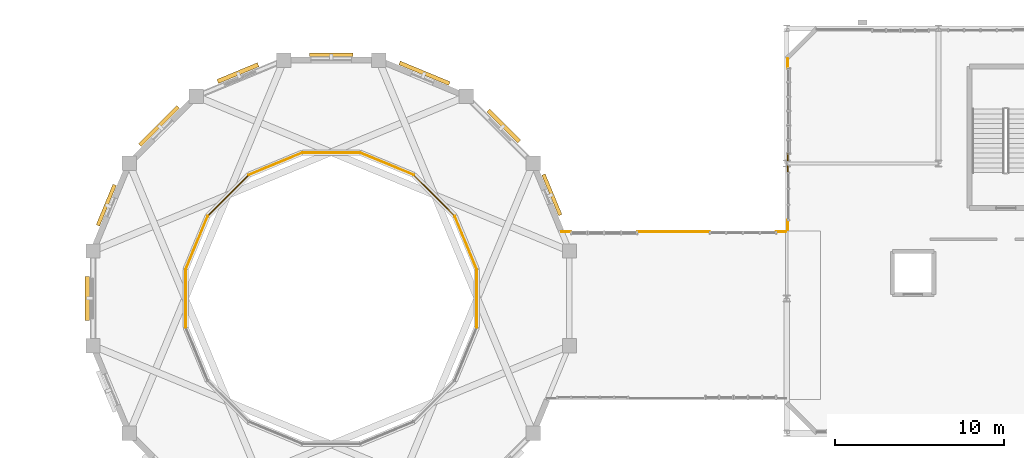
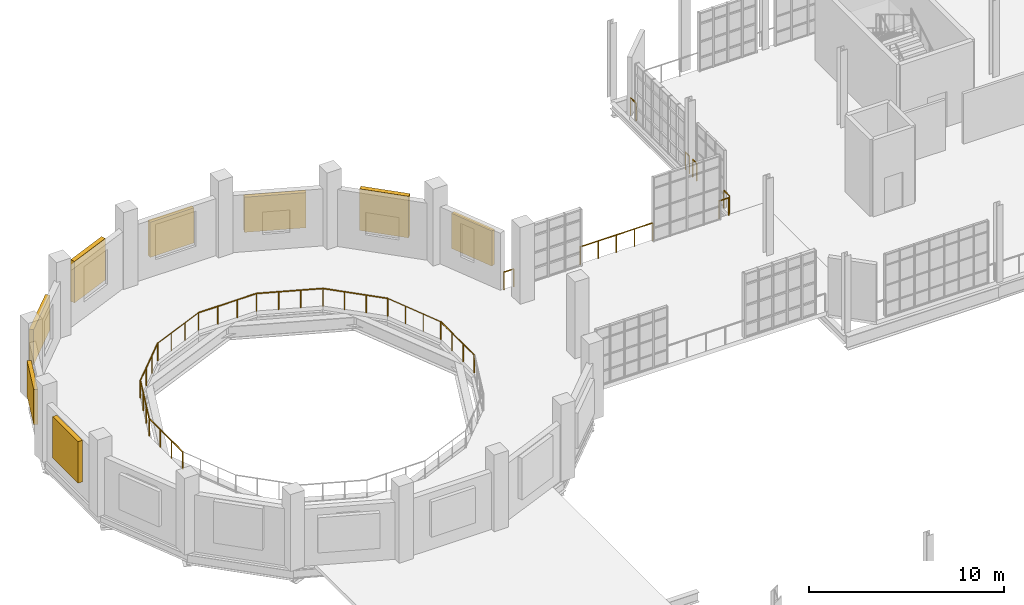
# One storey, part 118 of 122: 16 railings, 8 shading devices.
"""IFC4 building model written with IfcOpenShell, lengths in metres."""

from ifc_helpers import new_model, si_unit, direction, frame, frame_2d, origin, origin_2d, place, context, subcontext, project, spatial, rectangle, circle, extrude, material, type_object, element, save


model = new_model("IFC4")

# Units and contexts
model_context = context("Model", 3, precision=1e-05, world=origin(), true_north=direction((0.0, 1.0)))
body_context = subcontext(model_context, "Body", "Model", "MODEL_VIEW")
ifc_project = project(units=[si_unit("LENGTHUNIT", "METRE"), si_unit("AREAUNIT", "SQUARE_METRE"), si_unit("VOLUMEUNIT", "CUBIC_METRE"), si_unit("PLANEANGLEUNIT", "RADIAN"), si_unit("MASSUNIT", "GRAM", prefix="KILO"), si_unit("THERMODYNAMICTEMPERATUREUNIT", "KELVIN"), si_unit("POWERUNIT", "WATT")], contexts=[model_context])

# Site, building, storey
site_placement = place(None, origin())
site = spatial("IfcSite", under=ifc_project, at=site_placement, CompositionType="ELEMENT")
building_placement = place(site_placement, origin())
building = spatial("IfcBuilding", under=site, at=building_placement, Name="Zelmaris Science Centre", CompositionType="ELEMENT")
storey_placement = place(building_placement, frame((0.0, 0.0, 10.800048828125)))
storey = spatial("IfcBuildingStorey", under=building, at=storey_placement, Name="L02", CompositionType="ELEMENT", Elevation=10.800048828125)

# Railings
ifc_material = material(Name="Architectural bronze alloy C28000")
railing_type = type_object("IfcRailingType", Name="Balustrade GD-01 H1120", PredefinedType="BALUSTRADE", material=ifc_material)
railing_1_placement = place(storey_placement, frame((35.630859375, 73.716796875, 0.0)))
element("IfcRailing", 1, at=railing_1_placement, inside=storey, type_object=railing_type, Name="L02 Planetarium ring gallery balustrade 15", PredefinedType="BALUSTRADE", context=body_context, shape_type="SweptSolid", body=[
    extrude(circle(Radius=0.02392578125, at=origin_2d()), frame((0.0, 0.0, 1.09619140625), z_axis=(-0.382690908705, 0.923876435675, 0.0), x_axis=(-0.923876435675, -0.382690908705, 0.0)), (0.0, 0.0, 1.0), 3.43359375),
    extrude(circle(Radius=0.02099609375, at=origin_2d()), origin(), (0.0, 0.0, 1.0), 1.072021484375),
    extrude(circle(Radius=0.02099609375, at=origin_2d()), frame((-0.43798828125, 1.057373046875, 0.0)), (0.0, 0.0, 1.0), 1.072021484375),
    extrude(circle(Radius=0.02099609375, at=origin_2d()), frame((-0.8759765625, 2.11474609375, 0.0)), (0.0, 0.0, 1.0), 1.072021484375),
    extrude(circle(Radius=0.02099609375, at=origin_2d()), frame((-1.31396484375, 3.172119140625, 0.0)), (0.0, 0.0, 1.0), 1.072021484375),
])
railing_2_placement = place(storey_placement, frame((34.31689453125, 76.888916015625, 0.0)))
element("IfcRailing", 2, at=railing_2_placement, inside=storey, type_object=railing_type, Name="L02 Planetarium ring gallery balustrade 16", PredefinedType="BALUSTRADE", context=body_context, shape_type="SweptSolid", body=[
    extrude(circle(Radius=0.02392578125, at=origin_2d()), frame((0.0, 0.0, 1.09619140625), z_axis=(-0.707106781187, 0.707106781187, 0.0), x_axis=(-0.707106781187, -0.707106781187, 0.0)), (0.0, 0.0, 1.0), 3.43359375),
    extrude(circle(Radius=0.02099609375, at=origin_2d()), origin(), (0.0, 0.0, 1.0), 1.072021484375),
    extrude(circle(Radius=0.02099609375, at=origin_2d()), frame((-0.809326171875, 0.809326171875, 0.0)), (0.0, 0.0, 1.0), 1.072021484375),
    extrude(circle(Radius=0.02099609375, at=origin_2d()), frame((-1.61865234375, 1.61865234375, 0.0)), (0.0, 0.0, 1.0), 1.072021484375),
    extrude(circle(Radius=0.02099609375, at=origin_2d()), frame((-2.427978515625, 2.427978515625, 0.0)), (0.0, 0.0, 1.0), 1.072021484375),
])
railing_3_placement = place(storey_placement, frame((31.888916015625, 79.31689453125, 0.0)))
element("IfcRailing", 3, at=railing_3_placement, inside=storey, type_object=railing_type, Name="L02 Planetarium ring gallery balustrade 17", PredefinedType="BALUSTRADE", context=body_context, shape_type="SweptSolid", body=[
    extrude(circle(Radius=0.02392578125, at=origin_2d()), frame((0.0, 0.0, 1.09619140625), z_axis=(-0.923876435675, 0.382690908705, 0.0), x_axis=(-0.382690908705, -0.923876435675, 0.0)), (0.0, 0.0, 1.0), 3.43359375),
    extrude(circle(Radius=0.02099609375, at=origin_2d()), origin(), (0.0, 0.0, 1.0), 1.072021484375),
    extrude(circle(Radius=0.02099609375, at=origin_2d()), frame((-1.057373046875, 0.43798828125, 0.0)), (0.0, 0.0, 1.0), 1.072021484375),
    extrude(circle(Radius=0.02099609375, at=origin_2d()), frame((-2.11474609375, 0.8759765625, 0.0)), (0.0, 0.0, 1.0), 1.072021484375),
    extrude(circle(Radius=0.02099609375, at=origin_2d()), frame((-3.172119140625, 1.31396484375, 0.0)), (0.0, 0.0, 1.0), 1.072021484375),
])
railing_4_placement = place(storey_placement, frame((28.716796875, 80.630859375, 0.0)))
element("IfcRailing", 4, at=railing_4_placement, inside=storey, type_object=railing_type, Name="L02 Planetarium ring gallery balustrade 18", PredefinedType="BALUSTRADE", context=body_context, shape_type="SweptSolid", body=[
    extrude(circle(Radius=0.02392578125, at=origin_2d()), frame((0.0, 0.0, 1.09619140625), z_axis=(-1.0, 0.0, 0.0), x_axis=(0.0, -1.0, 0.0)), (0.0, 0.0, 1.0), 3.43359375),
    extrude(circle(Radius=0.02099609375, at=origin_2d()), origin(), (0.0, 0.0, 1.0), 1.072021484375),
    extrude(circle(Radius=0.02099609375, at=origin_2d()), frame((-1.14453125, 0.0, 0.0)), (0.0, 0.0, 1.0), 1.072021484375),
    extrude(circle(Radius=0.02099609375, at=origin_2d()), frame((-2.2890625, 0.0, 0.0)), (0.0, 0.0, 1.0), 1.072021484375),
    extrude(circle(Radius=0.02099609375, at=origin_2d()), frame((-3.43359375, 0.0, 0.0)), (0.0, 0.0, 1.0), 1.072021484375),
])
railing_5_placement = place(storey_placement, frame((25.283203125, 80.630859375, 0.0)))
element("IfcRailing", 5, at=railing_5_placement, inside=storey, type_object=railing_type, Name="L02 Planetarium ring gallery balustrade 19", PredefinedType="BALUSTRADE", context=body_context, shape_type="SweptSolid", body=[
    extrude(circle(Radius=0.02392578125, at=origin_2d()), frame((0.0, 0.0, 1.09619140625), z_axis=(-0.923876435675, -0.382690908705, 0.0), x_axis=(0.382690908705, -0.923876435675, 0.0)), (0.0, 0.0, 1.0), 3.43359375),
    extrude(circle(Radius=0.02099609375, at=origin_2d()), origin(), (0.0, 0.0, 1.0), 1.072021484375),
    extrude(circle(Radius=0.02099609375, at=origin_2d()), frame((-1.057373046875, -0.43798828125, 0.0)), (0.0, 0.0, 1.0), 1.072021484375),
    extrude(circle(Radius=0.02099609375, at=origin_2d()), frame((-2.11474609375, -0.8759765625, 0.0)), (0.0, 0.0, 1.0), 1.072021484375),
    extrude(circle(Radius=0.02099609375, at=origin_2d()), frame((-3.172119140625, -1.31396484375, 0.0)), (0.0, 0.0, 1.0), 1.072021484375),
])
railing_6_placement = place(storey_placement, frame((22.111083984375, 79.31689453125, 0.0)))
element("IfcRailing", 6, at=railing_6_placement, inside=storey, type_object=railing_type, Name="L02 Planetarium ring gallery balustrade 20", PredefinedType="BALUSTRADE", context=body_context, shape_type="SweptSolid", body=[
    extrude(circle(Radius=0.02392578125, at=origin_2d()), frame((0.0, 0.0, 1.09619140625), z_axis=(-0.707106781187, -0.707106781187, 0.0), x_axis=(0.707106781187, -0.707106781187, 0.0)), (0.0, 0.0, 1.0), 3.43359375),
    extrude(circle(Radius=0.02099609375, at=origin_2d()), origin(), (0.0, 0.0, 1.0), 1.072021484375),
    extrude(circle(Radius=0.02099609375, at=origin_2d()), frame((-0.809326171875, -0.809326171875, 0.0)), (0.0, 0.0, 1.0), 1.072021484375),
    extrude(circle(Radius=0.02099609375, at=origin_2d()), frame((-1.61865234375, -1.61865234375, 0.0)), (0.0, 0.0, 1.0), 1.072021484375),
    extrude(circle(Radius=0.02099609375, at=origin_2d()), frame((-2.427978515625, -2.427978515625, 0.0)), (0.0, 0.0, 1.0), 1.072021484375),
])
railing_7_placement = place(storey_placement, frame((19.68310546875, 76.888916015625, 0.0)))
element("IfcRailing", 7, at=railing_7_placement, inside=storey, type_object=railing_type, Name="L02 Planetarium ring gallery balustrade 21", PredefinedType="BALUSTRADE", context=body_context, shape_type="SweptSolid", body=[
    extrude(circle(Radius=0.02392578125, at=origin_2d()), frame((0.0, 0.0, 1.09619140625), z_axis=(-0.382690908705, -0.923876435675, 0.0), x_axis=(0.923876435675, -0.382690908705, 0.0)), (0.0, 0.0, 1.0), 3.43359375),
    extrude(circle(Radius=0.02099609375, at=origin_2d()), origin(), (0.0, 0.0, 1.0), 1.072021484375),
    extrude(circle(Radius=0.02099609375, at=origin_2d()), frame((-0.43798828125, -1.057373046875, 0.0)), (0.0, 0.0, 1.0), 1.072021484375),
    extrude(circle(Radius=0.02099609375, at=origin_2d()), frame((-0.8759765625, -2.11474609375, 0.0)), (0.0, 0.0, 1.0), 1.072021484375),
    extrude(circle(Radius=0.02099609375, at=origin_2d()), frame((-1.31396484375, -3.172119140625, 0.0)), (0.0, 0.0, 1.0), 1.072021484375),
])
railing_8_placement = place(storey_placement, frame((18.369140625, 73.716796875, 0.0)))
element("IfcRailing", 8, at=railing_8_placement, inside=storey, type_object=railing_type, Name="L02 Planetarium ring gallery balustrade 22", PredefinedType="BALUSTRADE", context=body_context, shape_type="SweptSolid", body=[
    extrude(circle(Radius=0.02392578125, at=origin_2d()), frame((0.0, 0.0, 1.09619140625), z_axis=(0.0, -1.0, 0.0), x_axis=(1.0, 0.0, 0.0)), (0.0, 0.0, 1.0), 3.43359375),
    extrude(circle(Radius=0.02099609375, at=origin_2d()), origin(), (0.0, 0.0, 1.0), 1.072021484375),
    extrude(circle(Radius=0.02099609375, at=origin_2d()), frame((0.0, -1.14453125, 0.0)), (0.0, 0.0, 1.0), 1.072021484375),
    extrude(circle(Radius=0.02099609375, at=origin_2d()), frame((0.0, -2.2890625, 0.0)), (0.0, 0.0, 1.0), 1.072021484375),
    extrude(circle(Radius=0.02099609375, at=origin_2d()), frame((0.0, -3.43359375, 0.0)), (0.0, 0.0, 1.0), 1.072021484375),
])
railing_9_placement = place(storey_placement, frame((35.630859375, 70.283203125, 0.0)))
element("IfcRailing", 9, at=railing_9_placement, inside=storey, type_object=railing_type, Name="L02 Planetarium ring gallery balustrade 30", PredefinedType="BALUSTRADE", context=body_context, shape_type="SweptSolid", body=[
    extrude(circle(Radius=0.02392578125, at=origin_2d()), frame((0.0, 0.0, 1.09619140625), z_axis=(0.0, 1.0, 0.0), x_axis=(-1.0, 0.0, 0.0)), (0.0, 0.0, 1.0), 3.43359375),
    extrude(circle(Radius=0.02099609375, at=origin_2d()), origin(), (0.0, 0.0, 1.0), 1.072021484375),
    extrude(circle(Radius=0.02099609375, at=origin_2d()), frame((0.0, 1.14453125, 0.0)), (0.0, 0.0, 1.0), 1.072021484375),
    extrude(circle(Radius=0.02099609375, at=origin_2d()), frame((0.0, 2.2890625, 0.0)), (0.0, 0.0, 1.0), 1.072021484375),
    extrude(circle(Radius=0.02099609375, at=origin_2d()), frame((0.0, 3.43359375, 0.0)), (0.0, 0.0, 1.0), 1.072021484375),
])
railing_10_placement = place(storey_placement, frame((40.65283203125, 75.942626953125, 0.0)))
element("IfcRailing", 10, at=railing_10_placement, inside=storey, type_object=railing_type, Name="L02 Perimeter safety balustrade 168", PredefinedType="BALUSTRADE", context=body_context, shape_type="SweptSolid", body=[
    extrude(circle(Radius=0.02392578125, at=origin_2d()), frame((0.0, 0.0, 1.09619140625), z_axis=(0.999999908294, -0.000428265485, 0.0), x_axis=(0.000428265485, 0.999999908294, 0.0)), (0.0, 0.0, 1.0), 0.570068359375),
    extrude(circle(Radius=0.02099609375, at=origin_2d()), origin(), (0.0, 0.0, 1.0), 1.072021484375),
    extrude(circle(Radius=0.02099609375, at=origin_2d()), frame((0.570068359375, -0.000244140625, 0.0)), (0.0, 0.0, 1.0), 1.072021484375),
])
railing_11_placement = place(storey_placement, frame((45.15185546875, 75.941650390625, 0.0)))
element("IfcRailing", 11, at=railing_11_placement, inside=storey, type_object=railing_type, Name="L02 Perimeter safety balustrade 169", PredefinedType="BALUSTRADE", context=body_context, shape_type="SweptSolid", body=[
    extrude(circle(Radius=0.02392578125, at=origin_2d()), frame((0.0, 0.0, 1.09619140625), z_axis=(0.99999998542, -0.000170765025, 0.0), x_axis=(0.000170765025, 0.99999998542, 0.0)), (0.0, 0.0, 1.0), 4.2890625),
    extrude(circle(Radius=0.02099609375, at=origin_2d()), origin(), (0.0, 0.0, 1.0), 1.072021484375),
    extrude(circle(Radius=0.02099609375, at=origin_2d()), frame((1.072265625, -0.000244140625, 0.0)), (0.0, 0.0, 1.0), 1.072021484375),
    extrude(circle(Radius=0.02099609375, at=origin_2d()), frame((2.14453125, -0.00048828125, 0.0)), (0.0, 0.0, 1.0), 1.072021484375),
    extrude(circle(Radius=0.02099609375, at=origin_2d()), frame((3.216796875, -0.00048828125, 0.0)), (0.0, 0.0, 1.0), 1.072021484375),
    extrude(circle(Radius=0.02099609375, at=origin_2d()), frame((4.2890625, -0.000732421875, 0.0)), (0.0, 0.0, 1.0), 1.072021484375),
])
railing_12_placement = place(storey_placement, frame((53.3701171875, 75.940185546875, 0.0)))
element("IfcRailing", 12, at=railing_12_placement, inside=storey, type_object=railing_type, Name="L02 Perimeter safety balustrade 170", PredefinedType="BALUSTRADE", context=body_context, shape_type="SweptSolid", body=[
    extrude(circle(Radius=0.02392578125, at=origin_2d()), frame((0.0, 0.0, 1.09619140625), z_axis=(0.999999908216, -0.000428448975, 0.0), x_axis=(0.000428448975, 0.999999908216, 0.0)), (0.0, 0.0, 1.0), 0.56982421875),
    extrude(circle(Radius=0.02099609375, at=origin_2d()), origin(), (0.0, 0.0, 1.0), 1.072021484375),
    extrude(circle(Radius=0.02099609375, at=origin_2d()), frame((0.56982421875, -0.000244140625, 0.0)), (0.0, 0.0, 1.0), 1.072021484375),
])
railing_13_placement = place(storey_placement, frame((54.06005859375, 76.06005859375, 0.0)))
element("IfcRailing", 13, at=railing_13_placement, inside=storey, type_object=railing_type, Name="L02 Perimeter safety balustrade 171", PredefinedType="BALUSTRADE", context=body_context, shape_type="SweptSolid", body=[
    extrude(circle(Radius=0.02392578125, at=origin_2d()), frame((0.0, 0.0, 1.09619140625), z_axis=(0.0, 1.0, 0.0), x_axis=(-1.0, 0.0, 0.0)), (0.0, 0.0, 1.0), 0.56982421875),
    extrude(circle(Radius=0.02099609375, at=origin_2d()), origin(), (0.0, 0.0, 1.0), 1.072021484375),
    extrude(circle(Radius=0.02099609375, at=origin_2d()), frame((0.0, 0.56982421875, 0.0)), (0.0, 0.0, 1.0), 1.072021484375),
])
for number, where, name in (
    (14, (54.06005859375, 79.429931640625, 0.0), "L02 Perimeter safety balustrade 172"),
    (15, (54.06005859375, 80.1630859375, 0.0), "L02 Perimeter safety balustrade 173"),
):
    element("IfcRailing", number, at=place(storey_placement, frame(where)), inside=storey, type_object=railing_type, Name=name, PredefinedType="BALUSTRADE", context=body_context, shape_type="SweptSolid", body=[
        extrude(circle(Radius=0.02392578125, at=origin_2d()), frame((0.0, 0.0, 1.09619140625), z_axis=(0.0, 1.0, 0.0), x_axis=(-1.0, 0.0, 0.0)), (0.0, 0.0, 1.0), 0.406982421875),
        extrude(circle(Radius=0.02099609375, at=origin_2d()), origin(), (0.0, 0.0, 1.0), 1.072021484375),
        extrude(circle(Radius=0.02099609375, at=origin_2d()), frame((0.0, 0.406982421875, 0.0)), (0.0, 0.0, 1.0), 1.072021484375),
    ])
railing_14_placement = place(storey_placement, frame((54.06005859375, 85.6298828125, 0.0)))
element("IfcRailing", 16, at=railing_14_placement, inside=storey, type_object=railing_type, Name="L02 Perimeter safety balustrade 174", PredefinedType="BALUSTRADE", context=body_context, shape_type="SweptSolid", body=[
    extrude(circle(Radius=0.02392578125, at=origin_2d()), frame((0.0, 0.0, 1.09619140625), z_axis=(0.0, 1.0, 0.0), x_axis=(-1.0, 0.0, 0.0)), (0.0, 0.0, 1.0), 0.570068359375),
    extrude(circle(Radius=0.02099609375, at=origin_2d()), origin(), (0.0, 0.0, 1.0), 1.072021484375),
    extrude(circle(Radius=0.02099609375, at=origin_2d()), frame((0.0, 0.570068359375, 0.0)), (0.0, 0.0, 1.0), 1.072021484375),
])

# Shading devices
shading_device_type_1 = type_object("IfcShadingDeviceType", Name="Bronze Storm Louvre LV-01 2600x2200", PredefinedType="JALOUSIE", material=ifc_material)
shading_device_1_placement = place(storey_placement, frame((13.16796875, 76.322265625, 0.949951171875), z_axis=(0.0, 0.0, 1.0), x_axis=(0.382647585897, 0.92389437979, 0.0)))
element("IfcShadingDevice", 17, at=shading_device_1_placement, inside=storey, type_object=shading_device_type_1, Name="L02 Bronze storm louvre 13", PredefinedType="JALOUSIE", context=body_context, shape_type="SweptSolid", body=[
    extrude(rectangle(XDim=2.599853515625, YDim=0.219970703125, at=frame_2d((1.2998046875, 0.0))), origin(), (0.0, 0.0, 1.0), 2.199951171875),
])
for number, where, z_axis, x_axis, name in (
    (18, (25.699951171875, 86.43310546875, 0.949951171875), (0.0, 0.0, 1.0), (1.0, 0.0, 0.0), "L02 Bronze storm louvre 16"),
    (19, (39.582763671875, 79.33837890625, 0.949951171875), (0.0, 0.0, 1.0), (0.382727733882, -0.923861180978, 0.0), "L02 Bronze storm louvre 19"),
):
    element("IfcShadingDevice", number, at=place(storey_placement, frame(where, z_axis=z_axis, x_axis=x_axis)), inside=storey, type_object=shading_device_type_1, Name=name, PredefinedType="JALOUSIE", context=body_context, shape_type="SweptSolid", body=[
        extrude(rectangle(XDim=2.60009765625, YDim=0.219970703125, at=frame_2d((1.300048828125, 0.0))), origin(), (0.0, 0.0, 1.0), 2.199951171875),
    ])
shading_device_type_2 = type_object("IfcShadingDeviceType", Name="Bronze Storm Louvre LV-02 3200x2200", PredefinedType="JALOUSIE", material=ifc_material)
for number, where, z_axis, x_axis, name in (
    (20, (15.65576171875, 81.08154296875, 0.949951171875), (0.0, 0.0, 1.0), (0.707106781187, 0.707106781187, 0.0), "L02 Bronze storm louvre 14"),
    (21, (31.049072265625, 85.9560546875, 0.949951171875), (0.0, 0.0, 1.0), (0.923871764297, -0.382702185954, 0.0), "L02 Bronze storm louvre 17"),
):
    element("IfcShadingDevice", number, at=place(storey_placement, frame(where, z_axis=z_axis, x_axis=x_axis)), inside=storey, type_object=shading_device_type_2, Name=name, PredefinedType="JALOUSIE", context=body_context, shape_type="SweptSolid", body=[
        extrude(rectangle(XDim=3.199951171875, YDim=0.239990234375, at=frame_2d((1.60009765625, 0.0))), origin(), (0.0, 0.0, 1.0), 2.199951171875),
    ])
shading_device_type_3 = type_object("IfcShadingDeviceType", Name="Bronze Storm Louvre LV-03 2600x2600", PredefinedType="JALOUSIE", material=ifc_material)
shading_device_2_placement = place(storey_placement, frame((12.546875, 70.699951171875, 0.949951171875), z_axis=(0.0, 0.0, 1.0), x_axis=(0.0, 1.0, 0.0)))
element("IfcShadingDevice", 22, at=shading_device_2_placement, inside=storey, type_object=shading_device_type_3, Name="L02 Bronze storm louvre 12", PredefinedType="JALOUSIE", context=body_context, shape_type="SweptSolid", body=[
    extrude(rectangle(XDim=2.60009765625, YDim=0.260009765625, at=frame_2d((1.300048828125, 0.0))), origin(), (0.0, 0.0, 1.0), 2.60009765625),
])
for number, where, z_axis, x_axis, name in (
    (23, (20.26806640625, 84.855712890625, 0.949951171875), (0.0, 0.0, 1.0), (0.92389437979, 0.382647585897, 0.0), "L02 Bronze storm louvre 15"),
    (24, (36.30078125, 83.13916015625, 0.949951171875), (0.0, 0.0, 1.0), (0.707106781187, -0.707106781187, 0.0), "L02 Bronze storm louvre 18"),
):
    element("IfcShadingDevice", number, at=place(storey_placement, frame(where, z_axis=z_axis, x_axis=x_axis)), inside=storey, type_object=shading_device_type_3, Name=name, PredefinedType="JALOUSIE", context=body_context, shape_type="SweptSolid", body=[
        extrude(rectangle(XDim=2.599853515625, YDim=0.260009765625, at=frame_2d((1.2998046875, 0.0))), origin(), (0.0, 0.0, 1.0), 2.60009765625),
    ])

save(model, "model.ifc")
